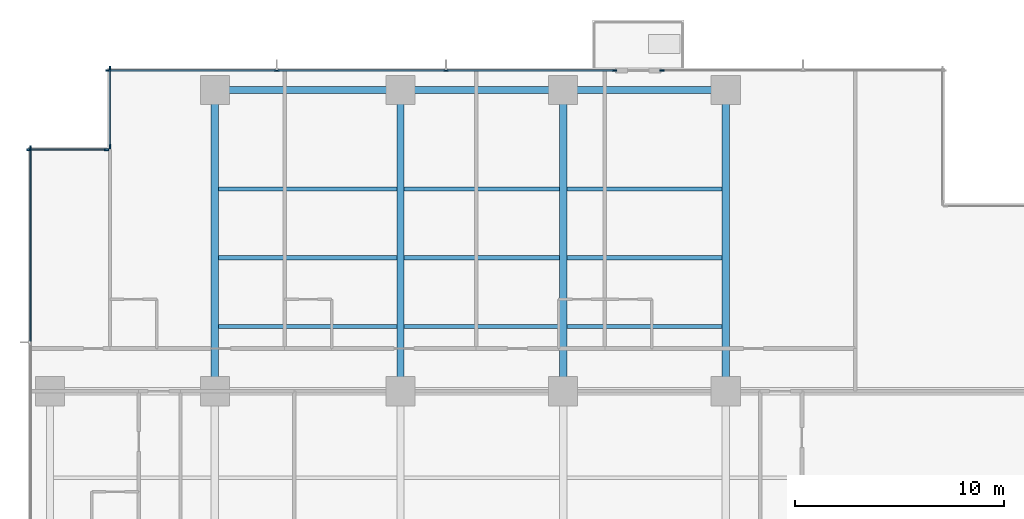
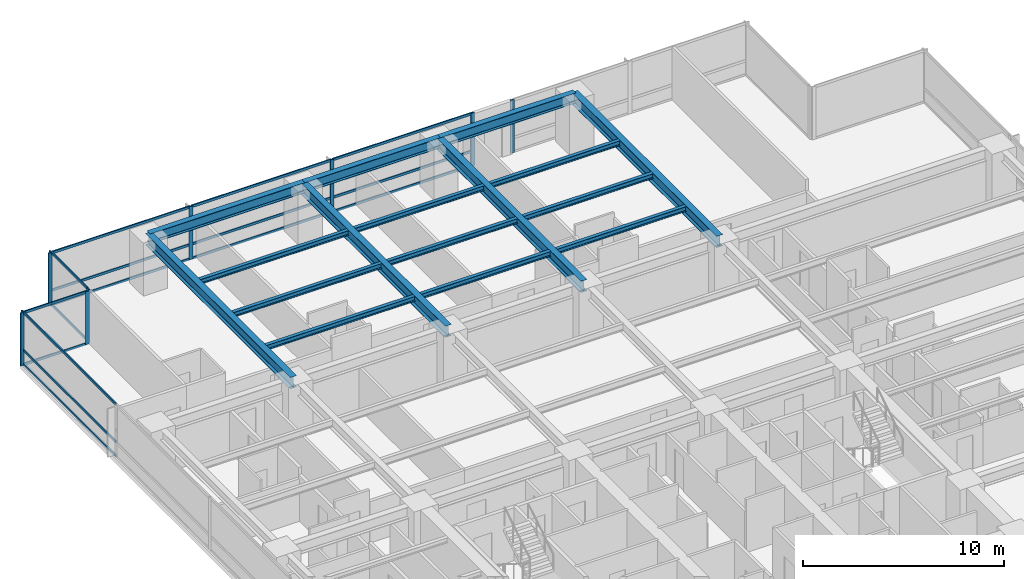
# One storey, part 4 of 16: 26 members, 16 beams, 5 elements without a shape of their own.
"""IFC4 building model written with IfcOpenShell, lengths in metres."""

from ifc_helpers import new_model, si_unit, direction, frame, origin, origin_2d, place, context, subcontext, project, spatial, rectangle, i_section, extrude, material, layer, layer_set, material_profile, profile_set, type_object, element, aggregate, save


model = new_model("IFC4")

# Units and contexts
model_context = context("Model", 3, precision=1e-05, world=origin(), true_north=direction((0.0, 1.0)))
body_context = subcontext(model_context, "Body", "Model", "MODEL_VIEW")
ifc_project = project(units=[si_unit("LENGTHUNIT", "METRE"), si_unit("AREAUNIT", "SQUARE_METRE"), si_unit("VOLUMEUNIT", "CUBIC_METRE"), si_unit("PLANEANGLEUNIT", "RADIAN"), si_unit("MASSUNIT", "GRAM", prefix="KILO")], contexts=[model_context])

# Site, building, storey
site_placement = place(None, origin())
site = spatial("IfcSite", under=ifc_project, at=site_placement, CompositionType="ELEMENT")
building_placement = place(site_placement, origin())
building = spatial("IfcBuilding", under=site, at=building_placement, Name="Qalmaran Belvedere Hotel", CompositionType="ELEMENT")
storey_placement = place(building_placement, frame((0.0, 0.0, 64.89990234375)))
storey = spatial("IfcBuildingStorey", under=building, at=storey_placement, Name="L16", CompositionType="ELEMENT", Elevation=64.89990234375)

# Beams
ifc_material_1 = material(Name="Steel S355JR", Category="steel")
ifc_material_profile_1 = material_profile(ifc_material_1, i_section(OverallWidth=0.202880859375, OverallDepth=0.302978515625, WebThickness=0.007568359375, FlangeThickness=0.01318359375, FilletRadius=0.012939453125, at=origin_2d()), Name="W310X60")
ifc_profile_set_1 = profile_set([ifc_material_profile_1], Name="Steel S355JR")
beam_type_1 = type_object("IfcBeamType", Name="BM-JST-W310X60", PredefinedType="JOIST", material=ifc_profile_set_1)
beam_1_placement = place(storey_placement, frame((20.4755859375, 36.10009765625, 3.068603515625), z_axis=(1.0, 0.0, 0.0), x_axis=(0.0, 1.0, 0.0)))
element("IfcBeam", 1, at=beam_1_placement, inside=storey, type_object=beam_type_1, Name="L16 North Floor Joist 042", PredefinedType="JOIST", context=body_context, shape_type="SweptSolid", body=[
    extrude(i_section(OverallWidth=0.202880859375, OverallDepth=0.302978515625, WebThickness=0.007568359375, FlangeThickness=0.01318359375, FilletRadius=0.012939453125, at=origin_2d()), origin(), (0.0, 0.0, 1.0), 8.548828125),
])
for number, where, z_axis, x_axis, name in (
    (2, (29.37548828125, 36.10009765625, 3.068603515625), (1.0, 0.0, 0.0), (0.0, 1.0, 0.0), "L16 North Floor Joist 043"),
    (3, (37.175537109375, 36.10009765625, 3.068603515625), (1.0, 0.0, 0.0), (0.0, 1.0, 0.0), "L16 North Floor Joist 044"),
):
    element("IfcBeam", number, at=place(storey_placement, frame(where, z_axis=z_axis, x_axis=x_axis)), inside=storey, type_object=beam_type_1, Name=name, PredefinedType="JOIST", context=body_context, shape_type="SweptSolid", body=[
        extrude(i_section(OverallWidth=0.202880859375, OverallDepth=0.302978515625, WebThickness=0.007568359375, FlangeThickness=0.01318359375, FilletRadius=0.012939453125, at=origin_2d()), origin(), (0.0, 0.0, 1.0), 7.448974609375),
    ])
beam_2_placement = place(storey_placement, frame((20.4755859375, 39.39990234375, 3.068603515625), z_axis=(1.0, 0.0, 0.0), x_axis=(0.0, 1.0, 0.0)))
element("IfcBeam", 4, at=beam_2_placement, inside=storey, type_object=beam_type_1, Name="L16 North Floor Joist 045", PredefinedType="JOIST", context=body_context, shape_type="SweptSolid", body=[
    extrude(i_section(OverallWidth=0.202880859375, OverallDepth=0.302978515625, WebThickness=0.007568359375, FlangeThickness=0.01318359375, FilletRadius=0.012939453125, at=origin_2d()), origin(), (0.0, 0.0, 1.0), 8.548828125),
])
for number, where, z_axis, x_axis, name in (
    (5, (29.37548828125, 39.39990234375, 3.068603515625), (1.0, 0.0, 0.0), (0.0, 1.0, 0.0), "L16 North Floor Joist 046"),
    (6, (37.175537109375, 39.39990234375, 3.068603515625), (1.0, 0.0, 0.0), (0.0, 1.0, 0.0), "L16 North Floor Joist 047"),
):
    element("IfcBeam", number, at=place(storey_placement, frame(where, z_axis=z_axis, x_axis=x_axis)), inside=storey, type_object=beam_type_1, Name=name, PredefinedType="JOIST", context=body_context, shape_type="SweptSolid", body=[
        extrude(i_section(OverallWidth=0.202880859375, OverallDepth=0.302978515625, WebThickness=0.007568359375, FlangeThickness=0.01318359375, FilletRadius=0.012939453125, at=origin_2d()), origin(), (0.0, 0.0, 1.0), 7.448974609375),
    ])
beam_3_placement = place(storey_placement, frame((20.4755859375, 42.699951171875, 3.068603515625), z_axis=(1.0, 0.0, 0.0), x_axis=(0.0, 1.0, 0.0)))
element("IfcBeam", 7, at=beam_3_placement, inside=storey, type_object=beam_type_1, Name="L16 North Floor Joist 048", PredefinedType="JOIST", context=body_context, shape_type="SweptSolid", body=[
    extrude(i_section(OverallWidth=0.202880859375, OverallDepth=0.302978515625, WebThickness=0.007568359375, FlangeThickness=0.01318359375, FilletRadius=0.012939453125, at=origin_2d()), origin(), (0.0, 0.0, 1.0), 8.548828125),
])
for number, where, z_axis, x_axis, name in (
    (8, (29.37548828125, 42.699951171875, 3.068603515625), (1.0, 0.0, 0.0), (0.0, 1.0, 0.0), "L16 North Floor Joist 049"),
    (9, (37.175537109375, 42.699951171875, 3.068603515625), (1.0, 0.0, 0.0), (0.0, 1.0, 0.0), "L16 North Floor Joist 050"),
):
    element("IfcBeam", number, at=place(storey_placement, frame(where, z_axis=z_axis, x_axis=x_axis)), inside=storey, type_object=beam_type_1, Name=name, PredefinedType="JOIST", context=body_context, shape_type="SweptSolid", body=[
        extrude(i_section(OverallWidth=0.202880859375, OverallDepth=0.302978515625, WebThickness=0.007568359375, FlangeThickness=0.01318359375, FilletRadius=0.012939453125, at=origin_2d()), origin(), (0.0, 0.0, 1.0), 7.448974609375),
    ])
ifc_material_profile_2 = material_profile(ifc_material_1, i_section(OverallWidth=0.326904296875, OverallDepth=0.6220703125, WebThickness=0.015380859375, FlangeThickness=0.0244140625, FilletRadius=0.02001953125, at=origin_2d()), Name="W610X195")
ifc_profile_set_2 = profile_set([ifc_material_profile_2], Name="Steel S355JR")
beam_type_2 = type_object("IfcBeamType", Name="BM-SP1-W610X195", PredefinedType="SPANDREL", material=ifc_profile_set_2)
beam_4_placement = place(storey_placement, frame((20.300048828125, 47.449951171875, 2.9091796875), z_axis=(1.0, 0.0, 0.0), x_axis=(0.0, 1.0, 0.0)))
element("IfcBeam", 10, at=beam_4_placement, inside=storey, type_object=beam_type_2, Name="L16 Perimeter Spandrel 05", PredefinedType="SPANDREL", context=body_context, shape_type="SweptSolid", body=[
    extrude(i_section(OverallWidth=0.326904296875, OverallDepth=0.6220703125, WebThickness=0.015380859375, FlangeThickness=0.0244140625, FilletRadius=0.02001953125, at=origin_2d()), origin(), (0.0, 0.0, 1.0), 8.89990234375),
])
for number, where, z_axis, x_axis, name in (
    (11, (29.199951171875, 47.449951171875, 2.9091796875), (1.0, 0.0, 0.0), (0.0, 1.0, 0.0), "L16 Perimeter Spandrel 06"),
    (12, (37.0, 47.449951171875, 2.9091796875), (1.0, 0.0, 0.0), (0.0, 1.0, 0.0), "L16 Perimeter Spandrel 07"),
):
    element("IfcBeam", number, at=place(storey_placement, frame(where, z_axis=z_axis, x_axis=x_axis)), inside=storey, type_object=beam_type_2, Name=name, PredefinedType="SPANDREL", context=body_context, shape_type="SweptSolid", body=[
        extrude(i_section(OverallWidth=0.326904296875, OverallDepth=0.6220703125, WebThickness=0.015380859375, FlangeThickness=0.0244140625, FilletRadius=0.02001953125, at=origin_2d()), origin(), (0.0, 0.0, 1.0), 7.800048828125),
    ])
ifc_material_profile_3 = material_profile(ifc_material_1, i_section(OverallWidth=0.35498046875, OverallDepth=0.695068359375, WebThickness=0.015380859375, FlangeThickness=0.02490234375, FilletRadius=0.02197265625, at=origin_2d()), Name="W690X217")
ifc_profile_set_3 = profile_set([ifc_material_profile_3], Name="Steel S355JR")
beam_type_3 = type_object("IfcBeamType", Name="BM-Z1-W690X217", PredefinedType="USERDEFINED", material=ifc_profile_set_3)
for number, where, z_axis, x_axis, name in (
    (13, (20.300048828125, 33.0, 2.87255859375), (0.0, 1.0, 0.0), (-1.0, 0.0, 0.0), "L16 North Bay Girder 15"),
    (14, (29.199951171875, 33.0, 2.87255859375), (0.0, 1.0, 0.0), (-1.0, 0.0, 0.0), "L16 North Bay Girder 17"),
    (15, (37.0, 33.0, 2.87255859375), (0.0, 1.0, 0.0), (-1.0, 0.0, 0.0), "L16 North Bay Girder 19"),
    (16, (44.800048828125, 33.0, 2.87255859375), (0.0, 1.0, 0.0), (-1.0, 0.0, 0.0), "L16 North Bay Girder 21"),
):
    element("IfcBeam", number, at=place(storey_placement, frame(where, z_axis=z_axis, x_axis=x_axis)), inside=storey, type_object=beam_type_3, Name=name, ObjectType="GIRDER", PredefinedType="USERDEFINED", context=body_context, shape_type="SweptSolid", body=[
        extrude(i_section(OverallWidth=0.35498046875, OverallDepth=0.695068359375, WebThickness=0.015380859375, FlangeThickness=0.02490234375, FilletRadius=0.02197265625, at=origin_2d()), origin(), (0.0, 0.0, 1.0), 14.449951171875),
    ])

# Curtain wall, members
ifc_material_2 = material(Name="Anodised Bronze Aluminium", Category="aluminium")
ifc_layer = layer(ifc_material_2, 0.2099609375, Name="Anodised Bronze Aluminium")
ifc_layer_set = layer_set([ifc_layer], Name="Anodised Bronze Aluminium")
curtain_wall_type = type_object("IfcCurtainWallType", Name="CW2-TOWER-LOWER", PredefinedType="NOTDEFINED", material=ifc_layer_set)
curtain_wall_1_placement = place(storey_placement, origin())
curtain_wall_1 = element("IfcCurtainWall", 17, at=curtain_wall_1_placement, inside=storey, type_object=curtain_wall_type, Name="L16 Curtain Wall CW2", PredefinedType="NOTDEFINED")
ifc_material_profile_4 = material_profile(ifc_material_2, rectangle(XDim=0.074951171875, YDim=0.219970703125, at=origin_2d()), Name="CWM75X220")
ifc_profile_set_4 = profile_set([ifc_material_profile_4], Name="Anodised Bronze Aluminium")
member_type_1 = type_object("IfcMemberType", Name="CWM-75X220", PredefinedType="MULLION", material=ifc_profile_set_4)
member_1_placement = place(storey_placement, frame((39.46240234375, 48.3798828125, 0.0), z_axis=(0.0, 0.0, 1.0), x_axis=(0.0, -1.0, 0.0)))
member_1 = element("IfcMember", 18, at=member_1_placement, type_object=member_type_1, Name="CW2 mullion 1", PredefinedType="MULLION", context=body_context, shape_type="SweptSolid", body=[
    extrude(rectangle(XDim=0.074951171875, YDim=0.219970703125, at=origin_2d()), origin(), (0.0, 0.0, 1.0), 3.22021484375),
])
member_2_placement = place(storey_placement, frame((31.38330078125, 48.3798828125, 0.0), z_axis=(0.0, 0.0, 1.0), x_axis=(0.0, -1.0, 0.0)))
member_2 = element("IfcMember", 19, at=member_2_placement, type_object=member_type_1, Name="CW2 mullion 2", PredefinedType="MULLION", context=body_context, shape_type="SweptSolid", body=[
    extrude(rectangle(XDim=0.074951171875, YDim=0.219970703125, at=origin_2d()), origin(), (0.0, 0.0, 1.0), 3.22021484375),
])
member_3_placement = place(storey_placement, frame((23.2666015625, 48.3798828125, 0.0), z_axis=(0.0, 0.0, 1.0), x_axis=(0.0, -1.0, 0.0)))
member_3 = element("IfcMember", 20, at=member_3_placement, type_object=member_type_1, Name="CW2 mullion 3", PredefinedType="MULLION", context=body_context, shape_type="SweptSolid", body=[
    extrude(rectangle(XDim=0.074951171875, YDim=0.219970703125, at=origin_2d()), origin(), (0.0, 0.0, 1.0), 3.22021484375),
])
member_4_placement = place(storey_placement, frame((15.1875, 48.3798828125, 0.0), z_axis=(0.0, 0.0, 1.0), x_axis=(0.0, -1.0, 0.0)))
member_4 = element("IfcMember", 21, at=member_4_placement, type_object=member_type_1, Name="CW2 mullion 4", PredefinedType="MULLION", context=body_context, shape_type="SweptSolid", body=[
    extrude(rectangle(XDim=0.074951171875, YDim=0.219970703125, at=origin_2d()), origin(), (0.0, 0.0, 1.0), 3.22021484375),
])

# Curtain wall, member
curtain_wall_2_placement = place(storey_placement, origin())
curtain_wall_2 = element("IfcCurtainWall", 22, at=curtain_wall_2_placement, inside=storey, type_object=curtain_wall_type, Name="L16 Curtain Wall CW2", PredefinedType="NOTDEFINED")
member_5_placement = place(storey_placement, frame((41.737548828125, 48.3798828125, 0.0), z_axis=(0.0, 0.0, 1.0), x_axis=(0.0, -1.0, 0.0)))
member_5 = element("IfcMember", 23, at=member_5_placement, type_object=member_type_1, Name="CW2 mullion 3", PredefinedType="MULLION", context=body_context, shape_type="SweptSolid", body=[
    extrude(rectangle(XDim=0.074951171875, YDim=0.219970703125, at=origin_2d()), origin(), (0.0, 0.0, 1.0), 3.22021484375),
])
aggregate(curtain_wall_2, [member_5])

# Curtain wall, members
curtain_wall_3_placement = place(storey_placement, origin())
curtain_wall_3 = element("IfcCurtainWall", 24, at=curtain_wall_3_placement, inside=storey, type_object=curtain_wall_type, Name="L16 Curtain Wall CW2", PredefinedType="NOTDEFINED")
member_6_placement = place(storey_placement, frame((15.27001953125, 48.46240234375, 0.0), z_axis=(0.0, 0.0, 1.0), x_axis=(1.0, 0.0, 0.0)))
member_6 = element("IfcMember", 25, at=member_6_placement, type_object=member_type_1, Name="CW2 mullion 1", PredefinedType="MULLION", context=body_context, shape_type="SweptSolid", body=[
    extrude(rectangle(XDim=0.074951171875, YDim=0.219970703125, at=origin_2d()), origin(), (0.0, 0.0, 1.0), 3.22021484375),
])
member_7_placement = place(storey_placement, frame((15.27001953125, 44.737548828125, 0.0), z_axis=(0.0, 0.0, 1.0), x_axis=(1.0, 0.0, 0.0)))
member_7 = element("IfcMember", 26, at=member_7_placement, type_object=member_type_1, Name="CW2 mullion 2", PredefinedType="MULLION", context=body_context, shape_type="SweptSolid", body=[
    extrude(rectangle(XDim=0.074951171875, YDim=0.219970703125, at=origin_2d()), origin(), (0.0, 0.0, 1.0), 3.22021484375),
])

curtain_wall_4_placement = place(storey_placement, origin())
curtain_wall_4 = element("IfcCurtainWall", 27, at=curtain_wall_4_placement, inside=storey, type_object=curtain_wall_type, Name="L16 Curtain Wall CW2", PredefinedType="NOTDEFINED")
member_8_placement = place(storey_placement, frame((15.112548828125, 44.580078125, 0.0), z_axis=(0.0, 0.0, 1.0), x_axis=(0.0, -1.0, 0.0)))
member_8 = element("IfcMember", 28, at=member_8_placement, type_object=member_type_1, Name="CW2 mullion 1", PredefinedType="MULLION", context=body_context, shape_type="SweptSolid", body=[
    extrude(rectangle(XDim=0.074951171875, YDim=0.219970703125, at=origin_2d()), origin(), (0.0, 0.0, 1.0), 3.22021484375),
])
member_9_placement = place(storey_placement, frame((11.387451171875, 44.580078125, 0.0), z_axis=(0.0, 0.0, 1.0), x_axis=(0.0, -1.0, 0.0)))
member_9 = element("IfcMember", 29, at=member_9_placement, type_object=member_type_1, Name="CW2 mullion 2", PredefinedType="MULLION", context=body_context, shape_type="SweptSolid", body=[
    extrude(rectangle(XDim=0.074951171875, YDim=0.219970703125, at=origin_2d()), origin(), (0.0, 0.0, 1.0), 3.22021484375),
])

# Curtain wall, member
curtain_wall_5_placement = place(storey_placement, origin())
curtain_wall_5 = element("IfcCurtainWall", 30, at=curtain_wall_5_placement, inside=storey, type_object=curtain_wall_type, Name="L16 Curtain Wall CW2", PredefinedType="NOTDEFINED")
member_10_placement = place(storey_placement, frame((11.469970703125, 44.66259765625, 0.0), z_axis=(0.0, 0.0, 1.0), x_axis=(1.0, 0.0, 0.0)))
member_10 = element("IfcMember", 31, at=member_10_placement, type_object=member_type_1, Name="CW2 mullion 1", PredefinedType="MULLION", context=body_context, shape_type="SweptSolid", body=[
    extrude(rectangle(XDim=0.074951171875, YDim=0.219970703125, at=origin_2d()), origin(), (0.0, 0.0, 1.0), 3.22021484375),
])

# Member
ifc_material_profile_5 = material_profile(ifc_material_2, rectangle(XDim=0.070068359375, YDim=0.14990234375, at=origin_2d()), Name="CWT70X150")
ifc_profile_set_5 = profile_set([ifc_material_profile_5], Name="Anodised Bronze Aluminium")
member_type_2 = type_object("IfcMemberType", Name="CWT-70X150", PredefinedType="USERDEFINED", material=ifc_profile_set_5)
member_11_placement = place(storey_placement, frame((39.425048828125, 48.3798828125, 0.03515625), z_axis=(-1.0, 0.0, 0.0), x_axis=(0.0, -1.0, 0.0)))
member_11 = element("IfcMember", 32, at=member_11_placement, type_object=member_type_2, Name="CW2 transom 1.1", ObjectType="TRANSOM", PredefinedType="USERDEFINED", context=body_context, shape_type="SweptSolid", body=[
    extrude(rectangle(XDim=0.070068359375, YDim=0.14990234375, at=origin_2d()), origin(), (0.0, 0.0, 1.0), 8.004150390625),
])

member_12_placement = place(storey_placement, frame((39.425048828125, 48.3798828125, 0.901611328125), z_axis=(-1.0, 0.0, 0.0), x_axis=(0.0, -1.0, 0.0)))
member_12 = element("IfcMember", 33, at=member_12_placement, type_object=member_type_2, Name="CW2 transom 1.2", ObjectType="TRANSOM", PredefinedType="USERDEFINED", context=body_context, shape_type="SweptSolid", body=[
    extrude(rectangle(XDim=0.070068359375, YDim=0.14990234375, at=origin_2d()), origin(), (0.0, 0.0, 1.0), 8.004150390625),
])

member_13_placement = place(storey_placement, frame((39.425048828125, 48.3798828125, 3.18505859375), z_axis=(-1.0, 0.0, 0.0), x_axis=(0.0, -1.0, 0.0)))
member_13 = element("IfcMember", 34, at=member_13_placement, type_object=member_type_2, Name="CW2 transom 1.3", ObjectType="TRANSOM", PredefinedType="USERDEFINED", context=body_context, shape_type="SweptSolid", body=[
    extrude(rectangle(XDim=0.070068359375, YDim=0.14990234375, at=origin_2d()), origin(), (0.0, 0.0, 1.0), 8.004150390625),
])

member_14_placement = place(storey_placement, frame((31.345947265625, 48.3798828125, 0.03515625), z_axis=(-1.0, 0.0, 0.0), x_axis=(0.0, -1.0, 0.0)))
member_14 = element("IfcMember", 35, at=member_14_placement, type_object=member_type_2, Name="CW2 transom 2.1", ObjectType="TRANSOM", PredefinedType="USERDEFINED", context=body_context, shape_type="SweptSolid", body=[
    extrude(rectangle(XDim=0.070068359375, YDim=0.14990234375, at=origin_2d()), origin(), (0.0, 0.0, 1.0), 8.041748046875),
])

member_15_placement = place(storey_placement, frame((31.345947265625, 48.3798828125, 0.901611328125), z_axis=(-1.0, 0.0, 0.0), x_axis=(0.0, -1.0, 0.0)))
member_15 = element("IfcMember", 36, at=member_15_placement, type_object=member_type_2, Name="CW2 transom 2.2", ObjectType="TRANSOM", PredefinedType="USERDEFINED", context=body_context, shape_type="SweptSolid", body=[
    extrude(rectangle(XDim=0.070068359375, YDim=0.14990234375, at=origin_2d()), origin(), (0.0, 0.0, 1.0), 8.041748046875),
])

member_16_placement = place(storey_placement, frame((31.345947265625, 48.3798828125, 3.18505859375), z_axis=(-1.0, 0.0, 0.0), x_axis=(0.0, -1.0, 0.0)))
member_16 = element("IfcMember", 37, at=member_16_placement, type_object=member_type_2, Name="CW2 transom 2.3", ObjectType="TRANSOM", PredefinedType="USERDEFINED", context=body_context, shape_type="SweptSolid", body=[
    extrude(rectangle(XDim=0.070068359375, YDim=0.14990234375, at=origin_2d()), origin(), (0.0, 0.0, 1.0), 8.041748046875),
])

member_17_placement = place(storey_placement, frame((23.229248046875, 48.3798828125, 0.03515625), z_axis=(-1.0, 0.0, 0.0), x_axis=(0.0, -1.0, 0.0)))
member_17 = element("IfcMember", 38, at=member_17_placement, type_object=member_type_2, Name="CW2 transom 3.1", ObjectType="TRANSOM", PredefinedType="USERDEFINED", context=body_context, shape_type="SweptSolid", body=[
    extrude(rectangle(XDim=0.070068359375, YDim=0.14990234375, at=origin_2d()), origin(), (0.0, 0.0, 1.0), 8.004150390625),
])

member_18_placement = place(storey_placement, frame((23.229248046875, 48.3798828125, 0.901611328125), z_axis=(-1.0, 0.0, 0.0), x_axis=(0.0, -1.0, 0.0)))
member_18 = element("IfcMember", 39, at=member_18_placement, type_object=member_type_2, Name="CW2 transom 3.2", ObjectType="TRANSOM", PredefinedType="USERDEFINED", context=body_context, shape_type="SweptSolid", body=[
    extrude(rectangle(XDim=0.070068359375, YDim=0.14990234375, at=origin_2d()), origin(), (0.0, 0.0, 1.0), 8.004150390625),
])

member_19_placement = place(storey_placement, frame((23.229248046875, 48.3798828125, 3.18505859375), z_axis=(-1.0, 0.0, 0.0), x_axis=(0.0, -1.0, 0.0)))
member_19 = element("IfcMember", 40, at=member_19_placement, type_object=member_type_2, Name="CW2 transom 3.3", ObjectType="TRANSOM", PredefinedType="USERDEFINED", context=body_context, shape_type="SweptSolid", body=[
    extrude(rectangle(XDim=0.070068359375, YDim=0.14990234375, at=origin_2d()), origin(), (0.0, 0.0, 1.0), 8.004150390625),
])

aggregate(curtain_wall_1, [member_1, member_2, member_3, member_4, member_11, member_12, member_13, member_14, member_15, member_16, member_17, member_18, member_19])

member_20_placement = place(storey_placement, frame((15.27001953125, 48.425048828125, 0.03515625), z_axis=(0.0, -1.0, 0.0), x_axis=(1.0, 0.0, 0.0)))
member_20 = element("IfcMember", 41, at=member_20_placement, type_object=member_type_2, Name="CW2 transom 1.1", ObjectType="TRANSOM", PredefinedType="USERDEFINED", context=body_context, shape_type="SweptSolid", body=[
    extrude(rectangle(XDim=0.070068359375, YDim=0.14990234375, at=origin_2d()), origin(), (0.0, 0.0, 1.0), 3.650146484375),
])

member_21_placement = place(storey_placement, frame((15.27001953125, 48.425048828125, 3.18505859375), z_axis=(0.0, -1.0, 0.0), x_axis=(1.0, 0.0, 0.0)))
member_21 = element("IfcMember", 42, at=member_21_placement, type_object=member_type_2, Name="CW2 transom 1.2", ObjectType="TRANSOM", PredefinedType="USERDEFINED", context=body_context, shape_type="SweptSolid", body=[
    extrude(rectangle(XDim=0.070068359375, YDim=0.14990234375, at=origin_2d()), origin(), (0.0, 0.0, 1.0), 3.650146484375),
])

aggregate(curtain_wall_3, [member_6, member_7, member_20, member_21])

member_22_placement = place(storey_placement, frame((15.074951171875, 44.580078125, 0.03515625), z_axis=(-1.0, 0.0, 0.0), x_axis=(0.0, -1.0, 0.0)))
member_22 = element("IfcMember", 43, at=member_22_placement, type_object=member_type_2, Name="CW2 transom 1.1", ObjectType="TRANSOM", PredefinedType="USERDEFINED", context=body_context, shape_type="SweptSolid", body=[
    extrude(rectangle(XDim=0.070068359375, YDim=0.14990234375, at=origin_2d()), origin(), (0.0, 0.0, 1.0), 3.64990234375),
])

member_23_placement = place(storey_placement, frame((15.074951171875, 44.580078125, 3.18505859375), z_axis=(-1.0, 0.0, 0.0), x_axis=(0.0, -1.0, 0.0)))
member_23 = element("IfcMember", 44, at=member_23_placement, type_object=member_type_2, Name="CW2 transom 1.2", ObjectType="TRANSOM", PredefinedType="USERDEFINED", context=body_context, shape_type="SweptSolid", body=[
    extrude(rectangle(XDim=0.070068359375, YDim=0.14990234375, at=origin_2d()), origin(), (0.0, 0.0, 1.0), 3.64990234375),
])

aggregate(curtain_wall_4, [member_8, member_9, member_22, member_23])

member_24_placement = place(storey_placement, frame((11.469970703125, 44.625, 0.03515625), z_axis=(0.0, -1.0, 0.0), x_axis=(1.0, 0.0, 0.0)))
member_24 = element("IfcMember", 45, at=member_24_placement, type_object=member_type_2, Name="CW2 transom 1.1", ObjectType="TRANSOM", PredefinedType="USERDEFINED", context=body_context, shape_type="SweptSolid", body=[
    extrude(rectangle(XDim=0.070068359375, YDim=0.14990234375, at=origin_2d()), origin(), (0.0, 0.0, 1.0), 9.237548828125),
])

member_25_placement = place(storey_placement, frame((11.469970703125, 44.625, 0.901611328125), z_axis=(0.0, -1.0, 0.0), x_axis=(1.0, 0.0, 0.0)))
member_25 = element("IfcMember", 46, at=member_25_placement, type_object=member_type_2, Name="CW2 transom 1.2", ObjectType="TRANSOM", PredefinedType="USERDEFINED", context=body_context, shape_type="SweptSolid", body=[
    extrude(rectangle(XDim=0.070068359375, YDim=0.14990234375, at=origin_2d()), origin(), (0.0, 0.0, 1.0), 9.237548828125),
])

member_26_placement = place(storey_placement, frame((11.469970703125, 44.625, 3.18505859375), z_axis=(0.0, -1.0, 0.0), x_axis=(1.0, 0.0, 0.0)))
member_26 = element("IfcMember", 47, at=member_26_placement, type_object=member_type_2, Name="CW2 transom 1.3", ObjectType="TRANSOM", PredefinedType="USERDEFINED", context=body_context, shape_type="SweptSolid", body=[
    extrude(rectangle(XDim=0.070068359375, YDim=0.14990234375, at=origin_2d()), origin(), (0.0, 0.0, 1.0), 9.237548828125),
])

aggregate(curtain_wall_5, [member_10, member_24, member_25, member_26])

save(model, "model.ifc")
